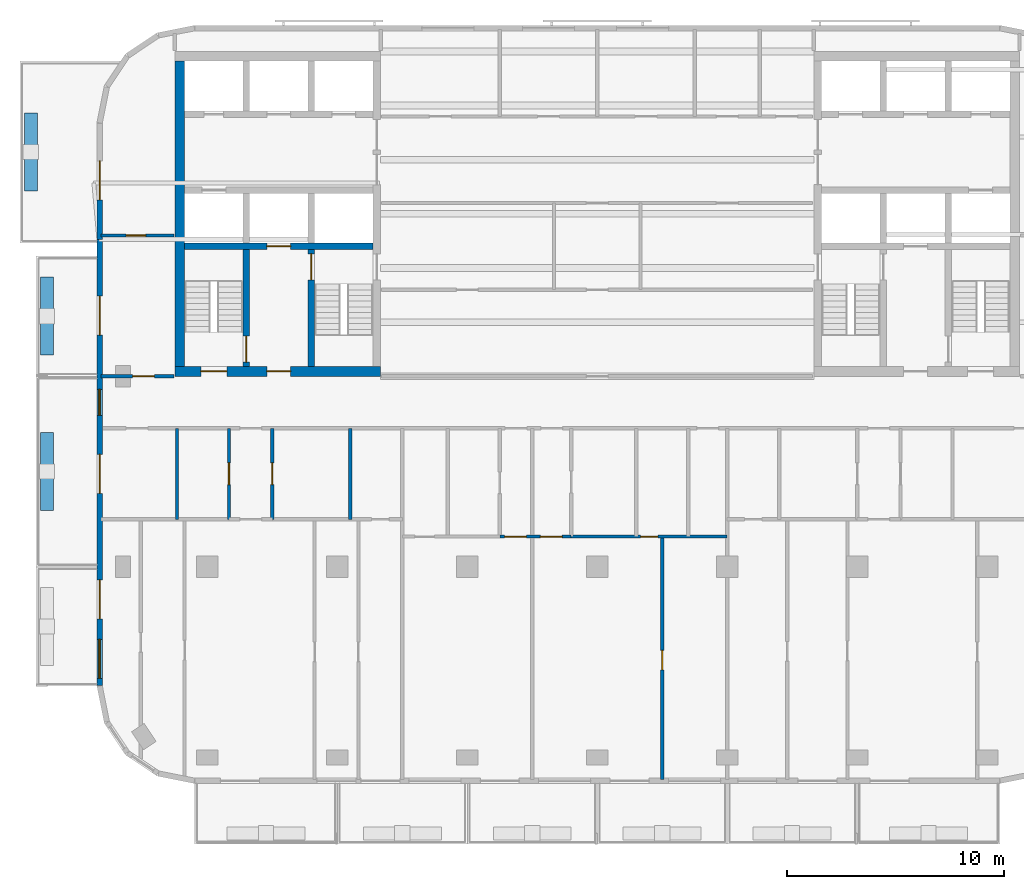
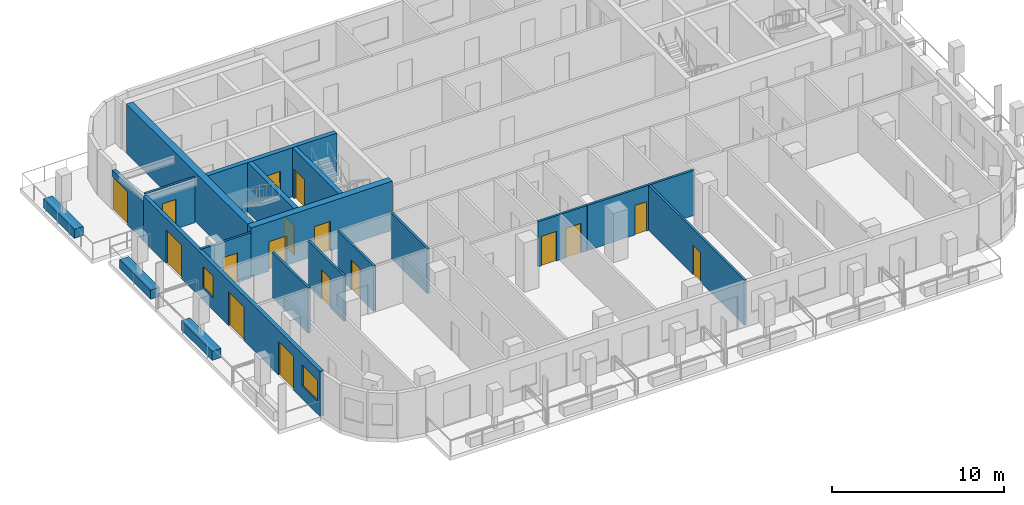
# One storey, part 3 of 11: 19 walls, 17 doors, 2 windows, 19 openings.
"""IFC4 building model written with IfcOpenShell, lengths in metres."""

from ifc_helpers import new_model, si_unit, direction, frame, frame_2d, origin, place, context, subcontext, project, spatial, rectangle, extrude, material, layer, layer_set, type_object, element, fill, save


model = new_model("IFC4")

# Units and contexts
model_context = context("Model", 3, precision=1e-05, world=origin(), true_north=direction((0.0, 1.0)))
body_context = subcontext(model_context, "Body", "Model", "MODEL_VIEW")
ifc_project = project(units=[si_unit("LENGTHUNIT", "METRE"), si_unit("AREAUNIT", "SQUARE_METRE"), si_unit("VOLUMEUNIT", "CUBIC_METRE"), si_unit("PLANEANGLEUNIT", "RADIAN"), si_unit("MASSUNIT", "GRAM", prefix="KILO")], contexts=[model_context])

# Site, building, storey
site_placement = place(None, origin())
site = spatial("IfcSite", under=ifc_project, at=site_placement, CompositionType="ELEMENT")
building_placement = place(site_placement, origin())
building = spatial("IfcBuilding", under=site, at=building_placement, Name="Torana Hotel and Residences", CompositionType="ELEMENT")
storey_placement = place(building_placement, frame((0.0, 0.0, 305.10009765625)))
storey = spatial("IfcBuildingStorey", under=building, at=storey_placement, Name="L81", CompositionType="ELEMENT", Elevation=305.10009765625)

# Wall, opening, door
ifc_material_1 = material(Name="Concrete C60/75", Category="concrete")
ifc_layer_1 = layer(ifc_material_1, 0.300048828125)
ifc_layer_set_1 = layer_set([ifc_layer_1], Name="CORE WALL 300 C60/75")
wall_type_1 = type_object("IfcWallType", Name="CORE WALL 300 C60/75", PredefinedType="SHEAR", material=ifc_layer_set_1)
wall_1_placement = place(storey_placement, frame((-19.050048828125, -9.0, 0.0), z_axis=(0.0, 0.0, 1.0), x_axis=(1.0, 0.0, 0.0)))
wall_1 = element("IfcWall", 1, at=wall_1_placement, inside=storey, type_object=wall_type_1, Name="Core wall W band", PredefinedType="SHEAR", context=body_context, shape_type="SweptSolid", body=[
    extrude(rectangle(XDim=8.699951171875, YDim=0.300048828125, at=frame_2d((4.35009765625, 0.0))), origin(), (0.0, 0.0, 1.0), 3.5),
])
opening_1_placement = place(wall_1_placement, frame((3.800048828125, 0.0, 0.0)))
opening_1 = element("IfcOpeningElement", 2, at=opening_1_placement, cuts=wall_1, Name="Opening LD", PredefinedType="OPENING", context=body_context, shape_type="SweptSolid", body=[
    extrude(rectangle(XDim=1.10009765625, YDim=2.10009765625, at=frame_2d((0.550048828125, 1.050048828125))), frame((0.0, 0.159912109375, 0.0), z_axis=(0.0, -1.0, 0.0), x_axis=(1.0, 0.0, 0.0)), (0.0, 0.0, 1.0), 0.320068359375),
])
ifc_material_2 = material(Name="Stainless steel 316", Category="steel")
door_type_1 = type_object("IfcDoorType", Name="LIFT LANDING DOOR LD 1100x2100", OperationType="DOUBLE_DOOR_SLIDING", PredefinedType="USERDEFINED", material=ifc_material_2)
door_1_placement = place(opening_1_placement, origin())
door_1 = element("IfcDoor", 3, at=door_1_placement, inside=storey, type_object=door_type_1, Name="Lift landing door FF1 L81", ObjectType="LIFT LANDING DOOR", OperationType="DOUBLE_DOOR_SLIDING", OverallHeight=2.10009765625, OverallWidth=1.10009765625, PredefinedType="USERDEFINED", context=body_context, shape_type="SweptSolid", body=[
    extrude(rectangle(XDim=1.10009765625, YDim=2.10009765625, at=frame_2d((0.550048828125, 1.050048828125))), frame((0.0, 0.02490234375, 0.0), z_axis=(0.0, -1.0, 0.0), x_axis=(1.0, 0.0, 0.0)), (0.0, 0.0, 1.0), 0.050048828125),
])
fill(opening_1, door_1)

wall_2_placement = place(storey_placement, frame((-13.199951171875, -14.550048828125, 0.0), z_axis=(0.0, 0.0, 1.0), x_axis=(0.0, 1.0, 0.0)))
wall_2 = element("IfcWall", 4, at=wall_2_placement, inside=storey, type_object=wall_type_1, Name="Core wall W x3.05-band", PredefinedType="SHEAR", context=body_context, shape_type="SweptSolid", body=[
    extrude(rectangle(XDim=5.400146484375, YDim=0.300048828125, at=frame_2d((2.7001953125, 0.0))), origin(), (0.0, 0.0, 1.0), 3.5),
])
opening_2_placement = place(wall_2_placement, frame((4.0, 0.0, 0.0)))
opening_2 = element("IfcOpeningElement", 5, at=opening_2_placement, cuts=wall_2, Name="Opening L81-07", PredefinedType="OPENING", context=body_context, shape_type="SweptSolid", body=[
    extrude(rectangle(XDim=1.199951171875, YDim=2.10009765625, at=frame_2d((0.60009765625, 1.050048828125))), frame((0.0, 0.159912109375, 0.0), z_axis=(0.0, -1.0, 0.0), x_axis=(1.0, 0.0, 0.0)), (0.0, 0.0, 1.0), 0.320068359375),
])
ifc_material_3 = material(Name="Steel S235", Category="steel")
door_type_2 = type_object("IfcDoorType", Name="STAIR FIRE DOOR D3 1200x2100", OperationType="SINGLE_SWING_LEFT", PredefinedType="DOOR", material=ifc_material_3)
door_2_placement = place(opening_2_placement, frame((0.60009765625, 0.0, 0.0), z_axis=(0.0, 0.0, 1.0), x_axis=(-1.0, 0.0, 0.0)))
door_2 = element("IfcDoor", 6, at=door_2_placement, inside=storey, type_object=door_type_2, Name="Stair-A-lobby door L81", OperationType="SINGLE_SWING_RIGHT", OverallHeight=2.10009765625, OverallWidth=1.199951171875, PredefinedType="DOOR", context=body_context, shape_type="SweptSolid", body=[
    extrude(rectangle(XDim=1.199951171875, YDim=2.10009765625, at=frame_2d((0.0, 1.050048828125))), frame((0.0, -0.02490234375, 0.0), z_axis=(0.0, 1.0, 0.0), x_axis=(-1.0, 0.0, 0.0)), (0.0, 0.0, 1.0), 0.050048828125),
])
fill(opening_2, door_2)

wall_3_placement = place(storey_placement, frame((-16.199951171875, -14.550048828125, 0.0), z_axis=(0.0, 0.0, 1.0), x_axis=(0.0, 1.0, 0.0)))
wall_3 = element("IfcWall", 7, at=wall_3_placement, inside=storey, type_object=wall_type_1, Name="Core wall W x6.05-band", PredefinedType="SHEAR", context=body_context, shape_type="SweptSolid", body=[
    extrude(rectangle(XDim=5.400146484375, YDim=0.300048828125, at=frame_2d((2.7001953125, 0.0))), origin(), (0.0, 0.0, 1.0), 3.5),
])
opening_3_placement = place(wall_3_placement, frame((0.199951171875, 0.0, 0.0)))
opening_3 = element("IfcOpeningElement", 8, at=opening_3_placement, cuts=wall_3, Name="Opening L81-08", PredefinedType="OPENING", context=body_context, shape_type="SweptSolid", body=[
    extrude(rectangle(XDim=1.199951171875, YDim=2.10009765625, at=frame_2d((0.60009765625, 1.050048828125))), frame((0.0, 0.159912109375, 0.0), z_axis=(0.0, -1.0, 0.0), x_axis=(1.0, 0.0, 0.0)), (0.0, 0.0, 1.0), 0.320068359375),
])
door_3_placement = place(opening_3_placement, origin())
door_3 = element("IfcDoor", 9, at=door_3_placement, inside=storey, type_object=door_type_2, Name="Stair-B-lobby door L81", OperationType="SINGLE_SWING_RIGHT", OverallHeight=2.10009765625, OverallWidth=1.199951171875, PredefinedType="DOOR", context=body_context, shape_type="SweptSolid", body=[
    extrude(rectangle(XDim=1.199951171875, YDim=2.10009765625, at=frame_2d((0.60009765625, 1.050048828125))), frame((0.0, 0.02490234375, 0.0), z_axis=(0.0, -1.0, 0.0), x_axis=(1.0, 0.0, 0.0)), (0.0, 0.0, 1.0), 0.050048828125),
])
fill(opening_3, door_3)

# Wall, openings, doors
ifc_material_4 = material(Name="Concrete C60/75", Category="concrete")
ifc_layer_2 = layer(ifc_material_4, 0.449951171875)
ifc_layer_set_2 = layer_set([ifc_layer_2], Name="CORE WALL 450 C60/75")
wall_type_2 = type_object("IfcWallType", Name="CORE WALL 450 C60/75", PredefinedType="SHEAR", material=ifc_layer_set_2)
wall_4_placement = place(storey_placement, frame((-19.5, -14.77490234375, 0.0), z_axis=(0.0, 0.0, 1.0), x_axis=(1.0, 0.0, 0.0)))
wall_4 = element("IfcWall", 10, at=wall_4_placement, inside=storey, type_object=wall_type_2, Name="Core wall W front", PredefinedType="SHEAR", context=body_context, shape_type="SweptSolid", body=[
    extrude(rectangle(XDim=9.5, YDim=0.449951171875, at=frame_2d((4.75, 0.0))), origin(), (0.0, 0.0, 1.0), 3.5),
])
opening_4_placement = place(wall_4_placement, frame((1.199951171875, 0.0, 0.0)))
opening_4 = element("IfcOpeningElement", 11, at=opening_4_placement, cuts=wall_4, Name="Opening L81-04", PredefinedType="OPENING", context=body_context, shape_type="SweptSolid", body=[
    extrude(rectangle(XDim=1.199951171875, YDim=2.10009765625, at=frame_2d((0.60009765625, 1.050048828125))), frame((0.0, 0.23486328125, 0.0), z_axis=(0.0, -1.0, 0.0), x_axis=(1.0, 0.0, 0.0)), (0.0, 0.0, 1.0), 0.469970703125),
])
opening_5_placement = place(wall_4_placement, frame((4.25, 0.0, 0.0)))
opening_5 = element("IfcOpeningElement", 12, at=opening_5_placement, cuts=wall_4, Name="Opening L81-05", PredefinedType="OPENING", context=body_context, shape_type="SweptSolid", body=[
    extrude(rectangle(XDim=1.10009765625, YDim=2.10009765625, at=frame_2d((0.550048828125, 1.050048828125))), frame((0.0, 0.23486328125, 0.0), z_axis=(0.0, -1.0, 0.0), x_axis=(1.0, 0.0, 0.0)), (0.0, 0.0, 1.0), 0.469970703125),
])
ifc_material_5 = material(Name="Steel S235", Category="steel")
door_type_3 = type_object("IfcDoorType", Name="FIRE-FIGHTING LOBBY DOOR D8 1100x2100", OperationType="SINGLE_SWING_LEFT", PredefinedType="DOOR", material=ifc_material_5)
door_4_placement = place(opening_5_placement, origin())
door_4 = element("IfcDoor", 13, at=door_4_placement, inside=storey, type_object=door_type_3, Name="FF-lobby door L81", OperationType="SINGLE_SWING_RIGHT", OverallHeight=2.10009765625, OverallWidth=1.10009765625, PredefinedType="DOOR", context=body_context, shape_type="SweptSolid", body=[
    extrude(rectangle(XDim=1.10009765625, YDim=2.10009765625, at=frame_2d((0.550048828125, 1.050048828125))), frame((0.0, 0.02490234375, 0.0), z_axis=(0.0, -1.0, 0.0), x_axis=(1.0, 0.0, 0.0)), (0.0, 0.0, 1.0), 0.050048828125),
])
fill(opening_5, door_4)
door_5_placement = place(opening_4_placement, origin())
door_5 = element("IfcDoor", 14, at=door_5_placement, inside=storey, type_object=door_type_2, Name="Stair-B door L81", OperationType="SINGLE_SWING_RIGHT", OverallHeight=2.10009765625, OverallWidth=1.199951171875, PredefinedType="DOOR", context=body_context, shape_type="SweptSolid", body=[
    extrude(rectangle(XDim=1.199951171875, YDim=2.10009765625, at=frame_2d((0.60009765625, 1.050048828125))), frame((0.0, 0.02490234375, 0.0), z_axis=(0.0, -1.0, 0.0), x_axis=(1.0, 0.0, 0.0)), (0.0, 0.0, 1.0), 0.050048828125),
])
fill(opening_4, door_5)

# Wall
wall_5_placement = place(storey_placement, frame((-19.27490234375, -14.550048828125, 0.0), z_axis=(0.0, 0.0, 1.0), x_axis=(0.0, 1.0, 0.0)))
element("IfcWall", 15, at=wall_5_placement, inside=storey, type_object=wall_type_2, Name="Core wall W outer", PredefinedType="SHEAR", context=body_context, shape_type="SweptSolid", body=[
    extrude(rectangle(XDim=14.10009765625, YDim=0.449951171875, at=frame_2d((7.050048828125, 0.0))), origin(), (0.0, 0.0, 1.0), 3.5),
])

# Wall, opening, door
ifc_material_6 = material(Name="Black aluminium composite panel", Category="aluminium")
ifc_layer_3 = layer(ifc_material_6, 0.00390625, Name="Cladding", Category="cladding")
ifc_material_7 = material(Name="Ventilated air cavity")
ifc_layer_4 = layer(ifc_material_7, 0.0400390625, Name="Ventilated cavity", Category="cavity")
ifc_material_8 = material(Name="Mineral wool insulation")
ifc_layer_5 = layer(ifc_material_8, 0.090087890625, Name="Insulation", Category="insulation")
ifc_material_9 = material(Name="Steel S280GD", Category="steel")
ifc_layer_6 = layer(ifc_material_9, 0.092041015625, Name="Steel stud frame", Category="structure")
ifc_material_10 = material(Name="Fire rated plasterboard")
ifc_layer_7 = layer(ifc_material_10, 0.011962890625, Name="Inner board", Category="finish")
ifc_layer_8 = layer(ifc_material_10, 0.011962890625, Name="Second board", Category="finish")
ifc_layer_set_3 = layer_set([ifc_layer_3, ifc_layer_4, ifc_layer_5, ifc_layer_6, ifc_layer_7, ifc_layer_8], Name="EW1 EXTERNAL WALL BLACK METAL CLAD 250")
wall_type_3 = type_object("IfcWallType", Name="EW1 EXTERNAL WALL BLACK METAL CLAD 250", PredefinedType="SOLIDWALL", material=ifc_layer_set_3)
wall_6_placement = place(storey_placement, frame((-22.97509765625, -5.050048828125, 0.0), z_axis=(0.0, 0.0, 1.0), x_axis=(0.0, -1.0, 0.0)))
wall_6 = element("IfcWall", 16, at=wall_6_placement, inside=storey, type_object=wall_type_3, Name="External wall L81 e0.9", PredefinedType="SOLIDWALL", context=body_context, shape_type="SweptSolid", body=[
    extrude(rectangle(XDim=3.627685546875, YDim=0.25, at=frame_2d((1.81396484375, 0.0))), origin(), (0.0, 0.0, 1.0), 2.8369140625),
])
opening_6_placement = place(wall_6_placement, origin())
opening_6 = element("IfcOpeningElement", 17, at=opening_6_placement, cuts=wall_6, Name="Opening L81-E11", PredefinedType="OPENING", context=body_context, shape_type="SweptSolid", body=[
    extrude(rectangle(XDim=1.800048828125, YDim=2.39990234375, at=frame_2d((0.89990234375, 1.199951171875))), frame((0.0, 0.135009765625, 0.0), z_axis=(0.0, -1.0, 0.0), x_axis=(1.0, 0.0, 0.0)), (0.0, 0.0, 1.0), 0.27001953125),
])
ifc_material_11 = material(Name="Dark glass in black aluminium frame", Category="aluminium")
door_type_4 = type_object("IfcDoorType", Name="DB1 BALCONY DOOR 1800x2400", OperationType="DOUBLE_DOOR_SINGLE_SWING", PredefinedType="DOOR", material=ifc_material_11)
door_6_placement = place(opening_6_placement, origin())
door_6 = element("IfcDoor", 18, at=door_6_placement, inside=storey, type_object=door_type_4, Name="Balcony door L81", OperationType="DOUBLE_DOOR_SINGLE_SWING", OverallHeight=2.39990234375, OverallWidth=1.800048828125, PredefinedType="DOOR", context=body_context, shape_type="SweptSolid", body=[
    extrude(rectangle(XDim=1.800048828125, YDim=2.39990234375, at=frame_2d((0.89990234375, 1.199951171875))), frame((0.0, 0.02490234375, 0.0), z_axis=(0.0, -1.0, 0.0), x_axis=(1.0, 0.0, 0.0)), (0.0, 0.0, 1.0), 0.050048828125),
])
fill(opening_6, door_6)

# Wall, openings, doors, windows
wall_7_placement = place(storey_placement, frame((-22.97509765625, -8.677734375, 0.0), z_axis=(0.0, 0.0, 1.0), x_axis=(0.0, -1.0, 0.0)))
wall_7 = element("IfcWall", 19, at=wall_7_placement, inside=storey, type_object=wall_type_3, Name="External wall L81 e0.9", PredefinedType="SOLIDWALL", context=body_context, shape_type="SweptSolid", body=[
    extrude(rectangle(XDim=20.59765625, YDim=0.25, at=frame_2d((10.298828125, 0.0))), origin(), (0.0, 0.0, 1.0), 3.199951171875),
])
opening_7_placement = place(wall_7_placement, frame((2.622314453125, 0.0, 0.0)))
opening_7 = element("IfcOpeningElement", 20, at=opening_7_placement, cuts=wall_7, Name="Opening L81-E12", PredefinedType="OPENING", context=body_context, shape_type="SweptSolid", body=[
    extrude(rectangle(XDim=1.800048828125, YDim=2.39990234375, at=frame_2d((0.89990234375, 1.199951171875))), frame((0.0, 0.135009765625, 0.0), z_axis=(0.0, -1.0, 0.0), x_axis=(1.0, 0.0, 0.0)), (0.0, 0.0, 1.0), 0.27001953125),
])
opening_8_placement = place(wall_7_placement, frame((6.92236328125, 0.0, 0.89990234375)))
opening_8 = element("IfcOpeningElement", 21, at=opening_8_placement, cuts=wall_7, Name="Opening W5", PredefinedType="OPENING", context=body_context, shape_type="SweptSolid", body=[
    extrude(rectangle(XDim=1.199951171875, YDim=1.5, at=frame_2d((0.60009765625, 0.75))), frame((0.0, 0.135009765625, 0.0), z_axis=(0.0, -1.0, 0.0), x_axis=(1.0, 0.0, 0.0)), (0.0, 0.0, 1.0), 0.27001953125),
])
opening_9_placement = place(wall_7_placement, frame((9.92236328125, 0.0, 0.0)))
opening_9 = element("IfcOpeningElement", 22, at=opening_9_placement, cuts=wall_7, Name="Opening L81-E13", PredefinedType="OPENING", context=body_context, shape_type="SweptSolid", body=[
    extrude(rectangle(XDim=1.800048828125, YDim=2.39990234375, at=frame_2d((0.89990234375, 1.199951171875))), frame((0.0, 0.135009765625, 0.0), z_axis=(0.0, -1.0, 0.0), x_axis=(1.0, 0.0, 0.0)), (0.0, 0.0, 1.0), 0.27001953125),
])
opening_10_placement = place(wall_7_placement, frame((15.722412109375, 0.0, 0.0)))
opening_10 = element("IfcOpeningElement", 23, at=opening_10_placement, cuts=wall_7, Name="Opening L81-E14", PredefinedType="OPENING", context=body_context, shape_type="SweptSolid", body=[
    extrude(rectangle(XDim=1.800048828125, YDim=2.39990234375, at=frame_2d((0.89990234375, 1.199951171875))), frame((0.0, 0.135009765625, 0.0), z_axis=(0.0, -1.0, 0.0), x_axis=(1.0, 0.0, 0.0)), (0.0, 0.0, 1.0), 0.27001953125),
])
opening_11_placement = place(wall_7_placement, frame((18.472412109375, 0.0, 0.89990234375)))
opening_11 = element("IfcOpeningElement", 24, at=opening_11_placement, cuts=wall_7, Name="Opening W4", PredefinedType="OPENING", context=body_context, shape_type="SweptSolid", body=[
    extrude(rectangle(XDim=1.800048828125, YDim=1.5, at=frame_2d((0.89990234375, 0.75))), frame((0.0, 0.135009765625, 0.0), z_axis=(0.0, -1.0, 0.0), x_axis=(1.0, 0.0, 0.0)), (0.0, 0.0, 1.0), 0.27001953125),
])
door_7_placement = place(opening_7_placement, origin())
door_7 = element("IfcDoor", 25, at=door_7_placement, inside=storey, type_object=door_type_4, Name="Balcony door L81", OperationType="DOUBLE_DOOR_SINGLE_SWING", OverallHeight=2.39990234375, OverallWidth=1.800048828125, PredefinedType="DOOR", context=body_context, shape_type="SweptSolid", body=[
    extrude(rectangle(XDim=1.800048828125, YDim=2.39990234375, at=frame_2d((0.89990234375, 1.199951171875))), frame((0.0, 0.02490234375, 0.0), z_axis=(0.0, -1.0, 0.0), x_axis=(1.0, 0.0, 0.0)), (0.0, 0.0, 1.0), 0.050048828125),
])
fill(opening_7, door_7)
door_8_placement = place(opening_9_placement, origin())
door_8 = element("IfcDoor", 26, at=door_8_placement, inside=storey, type_object=door_type_4, Name="Balcony door L81", OperationType="DOUBLE_DOOR_SINGLE_SWING", OverallHeight=2.39990234375, OverallWidth=1.800048828125, PredefinedType="DOOR", context=body_context, shape_type="SweptSolid", body=[
    extrude(rectangle(XDim=1.800048828125, YDim=2.39990234375, at=frame_2d((0.89990234375, 1.199951171875))), frame((0.0, 0.02490234375, 0.0), z_axis=(0.0, -1.0, 0.0), x_axis=(1.0, 0.0, 0.0)), (0.0, 0.0, 1.0), 0.050048828125),
])
fill(opening_9, door_8)
door_9_placement = place(opening_10_placement, origin())
door_9 = element("IfcDoor", 27, at=door_9_placement, inside=storey, type_object=door_type_4, Name="Balcony door L81", OperationType="DOUBLE_DOOR_SINGLE_SWING", OverallHeight=2.39990234375, OverallWidth=1.800048828125, PredefinedType="DOOR", context=body_context, shape_type="SweptSolid", body=[
    extrude(rectangle(XDim=1.800048828125, YDim=2.39990234375, at=frame_2d((0.89990234375, 1.199951171875))), frame((0.0, 0.02490234375, 0.0), z_axis=(0.0, -1.0, 0.0), x_axis=(1.0, 0.0, 0.0)), (0.0, 0.0, 1.0), 0.050048828125),
])
fill(opening_10, door_9)
ifc_material_12 = material(Name="Dark glass in black aluminium frame", Category="aluminium")
window_type_1 = type_object("IfcWindowType", Name="W4 RESIDENCE WINDOW NARROW 1800x1500", PartitioningType="SINGLE_PANEL", PredefinedType="WINDOW", material=ifc_material_12)
window_1_placement = place(opening_11_placement, origin())
window_1 = element("IfcWindow", 28, at=window_1_placement, inside=storey, type_object=window_type_1, Name="Window L81", OverallHeight=1.5, OverallWidth=1.800048828125, PartitioningType="SINGLE_PANEL", PredefinedType="WINDOW", context=body_context, shape_type="SweptSolid", body=[
    extrude(rectangle(XDim=1.800048828125, YDim=1.5, at=frame_2d((0.89990234375, 0.75))), frame((0.0, 0.030029296875, 0.0), z_axis=(0.0, -1.0, 0.0), x_axis=(1.0, 0.0, 0.0)), (0.0, 0.0, 1.0), 0.06005859375),
])
fill(opening_11, window_1)
ifc_material_13 = material(Name="Dark glass in black aluminium frame", Category="aluminium")
window_type_2 = type_object("IfcWindowType", Name="W5 CORNER FACET WINDOW 1200x1500", PartitioningType="SINGLE_PANEL", PredefinedType="WINDOW", material=ifc_material_13)
window_2_placement = place(opening_8_placement, origin())
window_2 = element("IfcWindow", 29, at=window_2_placement, inside=storey, type_object=window_type_2, Name="Window L81", OverallHeight=1.5, OverallWidth=1.199951171875, PartitioningType="SINGLE_PANEL", PredefinedType="WINDOW", context=body_context, shape_type="SweptSolid", body=[
    extrude(rectangle(XDim=1.199951171875, YDim=1.5, at=frame_2d((0.60009765625, 0.75))), frame((0.0, 0.030029296875, 0.0), z_axis=(0.0, -1.0, 0.0), x_axis=(1.0, 0.0, 0.0)), (0.0, 0.0, 1.0), 0.06005859375),
])
fill(opening_8, window_2)

# Wall, opening, door
ifc_material_14 = material(Name="Gypsum plaster")
ifc_layer_9 = layer(ifc_material_14, 0.014892578125, Name="Plaster", Category="finish")
ifc_material_15 = material(Name="Concrete blockwork", Category="masonry")
ifc_layer_10 = layer(ifc_material_15, 0.1201171875, Name="Blockwork", Category="structure")
ifc_layer_11 = layer(ifc_material_14, 0.014892578125, Name="Plaster", Category="finish")
ifc_layer_set_4 = layer_set([ifc_layer_9, ifc_layer_10, ifc_layer_11], Name="FIRE PARTITION 150 BLOCKWORK")
wall_type_4 = type_object("IfcWallType", Name="FIRE PARTITION 150 BLOCKWORK", PredefinedType="PARTITIONING", material=ifc_layer_set_4)
wall_8_placement = place(storey_placement, frame((-15.0, -21.60009765625, 0.0), z_axis=(0.0, 0.0, 1.0), x_axis=(0.0, 1.0, 0.0)))
wall_8 = element("IfcWall", 30, at=wall_8_placement, inside=storey, type_object=wall_type_4, Name="Partition L81", PredefinedType="PARTITIONING", context=body_context, shape_type="SweptSolid", body=[
    extrude(rectangle(XDim=4.2001953125, YDim=0.14990234375, at=frame_2d((2.10009765625, 0.0))), origin(), (0.0, 0.0, 1.0), 3.219970703125),
])
opening_12_placement = place(wall_8_placement, frame((1.60009765625, 0.0, 0.0)))
opening_12 = element("IfcOpeningElement", 31, at=opening_12_placement, cuts=wall_8, Name="Opening L81-44", PredefinedType="OPENING", context=body_context, shape_type="SweptSolid", body=[
    extrude(rectangle(XDim=1.0, YDim=2.10009765625, at=frame_2d((0.5, 1.050048828125))), frame((0.0, 0.0849609375, 0.0), z_axis=(0.0, -1.0, 0.0), x_axis=(1.0, 0.0, 0.0)), (0.0, 0.0, 1.0), 0.169921875),
])
ifc_material_16 = material(Name="Steel S235", Category="steel")
door_type_5 = type_object("IfcDoorType", Name="ENTRY FIRE DOOR D6 1000x2100", OperationType="SINGLE_SWING_LEFT", PredefinedType="DOOR", material=ifc_material_16)
door_10_placement = place(opening_12_placement, frame((0.5, 0.0, 0.0), z_axis=(0.0, 0.0, 1.0), x_axis=(-1.0, 0.0, 0.0)))
door_10 = element("IfcDoor", 32, at=door_10_placement, inside=storey, type_object=door_type_5, Name="Door L81", OperationType="SINGLE_SWING_LEFT", OverallHeight=2.10009765625, OverallWidth=1.0, PredefinedType="DOOR", context=body_context, shape_type="SweptSolid", body=[
    extrude(rectangle(XDim=1.0, YDim=2.10009765625, at=frame_2d((0.0, 1.050048828125))), frame((0.0, -0.02490234375, 0.0), z_axis=(0.0, 1.0, 0.0), x_axis=(-1.0, 0.0, 0.0)), (0.0, 0.0, 1.0), 0.050048828125),
])
fill(opening_12, door_10)

wall_9_placement = place(storey_placement, frame((-17.0, -21.60009765625, 0.0), z_axis=(0.0, 0.0, 1.0), x_axis=(0.0, 1.0, 0.0)))
wall_9 = element("IfcWall", 33, at=wall_9_placement, inside=storey, type_object=wall_type_4, Name="Partition L81", PredefinedType="PARTITIONING", context=body_context, shape_type="SweptSolid", body=[
    extrude(rectangle(XDim=4.2001953125, YDim=0.14990234375, at=frame_2d((2.10009765625, 0.0))), origin(), (0.0, 0.0, 1.0), 3.219970703125),
])
opening_13_placement = place(wall_9_placement, frame((1.60009765625, 0.0, 0.0)))
opening_13 = element("IfcOpeningElement", 34, at=opening_13_placement, cuts=wall_9, Name="Opening L81-45", PredefinedType="OPENING", context=body_context, shape_type="SweptSolid", body=[
    extrude(rectangle(XDim=1.0, YDim=2.10009765625, at=frame_2d((0.5, 1.050048828125))), frame((0.0, 0.0849609375, 0.0), z_axis=(0.0, -1.0, 0.0), x_axis=(1.0, 0.0, 0.0)), (0.0, 0.0, 1.0), 0.169921875),
])
door_11_placement = place(opening_13_placement, origin())
door_11 = element("IfcDoor", 35, at=door_11_placement, inside=storey, type_object=door_type_5, Name="Door L81", OperationType="SINGLE_SWING_RIGHT", OverallHeight=2.10009765625, OverallWidth=1.0, PredefinedType="DOOR", context=body_context, shape_type="SweptSolid", body=[
    extrude(rectangle(XDim=1.0, YDim=2.10009765625, at=frame_2d((0.5, 1.050048828125))), frame((0.0, 0.02490234375, 0.0), z_axis=(0.0, -1.0, 0.0), x_axis=(1.0, 0.0, 0.0)), (0.0, 0.0, 1.0), 0.050048828125),
])
fill(opening_13, door_11)

# Wall, openings, doors
wall_10_placement = place(storey_placement, frame((-4.5, -22.39990234375, 0.0), z_axis=(0.0, 0.0, 1.0), x_axis=(1.0, 0.0, 0.0)))
wall_10 = element("IfcWall", 36, at=wall_10_placement, inside=storey, type_object=wall_type_4, Name="Partition L81", PredefinedType="PARTITIONING", context=body_context, shape_type="SweptSolid", body=[
    extrude(rectangle(XDim=3.300048828125, YDim=0.14990234375, at=frame_2d((1.64990234375, 0.0))), origin(), (0.0, 0.0, 1.0), 3.219970703125),
])
opening_14_placement = place(wall_10_placement, frame((0.22998046875, 0.0, 0.0)))
opening_14 = element("IfcOpeningElement", 37, at=opening_14_placement, cuts=wall_10, Name="Opening L81-38", PredefinedType="OPENING", context=body_context, shape_type="SweptSolid", body=[
    extrude(rectangle(XDim=1.0, YDim=2.10009765625, at=frame_2d((0.5, 1.050048828125))), frame((0.0, 0.0849609375, 0.0), z_axis=(0.0, -1.0, 0.0), x_axis=(1.0, 0.0, 0.0)), (0.0, 0.0, 1.0), 0.169921875),
])
opening_15_placement = place(wall_10_placement, frame((1.8798828125, 0.0, 0.0)))
opening_15 = element("IfcOpeningElement", 38, at=opening_15_placement, cuts=wall_10, Name="Opening L81-40", PredefinedType="OPENING", context=body_context, shape_type="SweptSolid", body=[
    extrude(rectangle(XDim=1.0, YDim=2.10009765625, at=frame_2d((0.5, 1.050048828125))), frame((0.0, 0.0849609375, 0.0), z_axis=(0.0, -1.0, 0.0), x_axis=(1.0, 0.0, 0.0)), (0.0, 0.0, 1.0), 0.169921875),
])
door_12_placement = place(opening_14_placement, frame((0.5, 0.0, 0.0), z_axis=(0.0, 0.0, 1.0), x_axis=(-1.0, 0.0, 0.0)))
door_12 = element("IfcDoor", 39, at=door_12_placement, inside=storey, type_object=door_type_5, Name="Door L81", OperationType="SINGLE_SWING_RIGHT", OverallHeight=2.10009765625, OverallWidth=1.0, PredefinedType="DOOR", context=body_context, shape_type="SweptSolid", body=[
    extrude(rectangle(XDim=1.0, YDim=2.10009765625, at=frame_2d((0.0, 1.050048828125))), frame((0.0, -0.02490234375, 0.0), z_axis=(0.0, 1.0, 0.0), x_axis=(-1.0, 0.0, 0.0)), (0.0, 0.0, 1.0), 0.050048828125),
])
fill(opening_14, door_12)
door_13_placement = place(opening_15_placement, frame((0.5, 0.0, 0.0), z_axis=(0.0, 0.0, 1.0), x_axis=(-1.0, 0.0, 0.0)))
door_13 = element("IfcDoor", 40, at=door_13_placement, inside=storey, type_object=door_type_5, Name="Door L81", OperationType="SINGLE_SWING_LEFT", OverallHeight=2.10009765625, OverallWidth=1.0, PredefinedType="DOOR", context=body_context, shape_type="SweptSolid", body=[
    extrude(rectangle(XDim=1.0, YDim=2.10009765625, at=frame_2d((0.0, 1.050048828125))), frame((0.0, -0.02490234375, 0.0), z_axis=(0.0, 1.0, 0.0), x_axis=(-1.0, 0.0, 0.0)), (0.0, 0.0, 1.0), 0.050048828125),
])
fill(opening_15, door_13)

# Wall, opening, door
wall_11_placement = place(storey_placement, frame((-22.919921875, -15.0, 0.0), z_axis=(0.0, 0.0, 1.0), x_axis=(1.0, 0.0, 0.0)))
wall_11 = element("IfcWall", 41, at=wall_11_placement, inside=storey, type_object=wall_type_4, Name="Partition L81", PredefinedType="PARTITIONING", context=body_context, shape_type="SweptSolid", body=[
    extrude(rectangle(XDim=3.369873046875, YDim=0.14990234375, at=frame_2d((1.68505859375, 0.0))), origin(), (0.0, 0.0, 1.0), 3.219970703125),
])
opening_16_placement = place(wall_11_placement, frame((1.469970703125, 0.0, 0.0)))
opening_16 = element("IfcOpeningElement", 42, at=opening_16_placement, cuts=wall_11, Name="Opening L81-25", PredefinedType="OPENING", context=body_context, shape_type="SweptSolid", body=[
    extrude(rectangle(XDim=1.0, YDim=2.10009765625, at=frame_2d((0.5, 1.050048828125))), frame((0.0, 0.0849609375, 0.0), z_axis=(0.0, -1.0, 0.0), x_axis=(1.0, 0.0, 0.0)), (0.0, 0.0, 1.0), 0.169921875),
])
ifc_material_17 = material(Name="Steel S235", Category="steel")
door_type_6 = type_object("IfcDoorType", Name="CORE ROOM FIRE DOOR D14 1000x2100", OperationType="SINGLE_SWING_LEFT", PredefinedType="DOOR", material=ifc_material_17)
door_14_placement = place(opening_16_placement, origin())
door_14 = element("IfcDoor", 43, at=door_14_placement, inside=storey, type_object=door_type_6, Name="Door L81", OperationType="SINGLE_SWING_RIGHT", OverallHeight=2.10009765625, OverallWidth=1.0, PredefinedType="DOOR", context=body_context, shape_type="SweptSolid", body=[
    extrude(rectangle(XDim=1.0, YDim=2.10009765625, at=frame_2d((0.5, 1.050048828125))), frame((0.0, 0.02490234375, 0.0), z_axis=(0.0, -1.0, 0.0), x_axis=(1.0, 0.0, 0.0)), (0.0, 0.0, 1.0), 0.050048828125),
])
fill(opening_16, door_14)

ifc_material_18 = material(Name="Gypsum plasterboard")
ifc_layer_12 = layer(ifc_material_18, 0.012451171875, Name="Plasterboard", Category="finish")
ifc_layer_13 = layer(ifc_material_18, 0.012451171875, Name="Plasterboard", Category="finish")
ifc_layer_14 = layer(ifc_material_9, 0.10009765625, Name="Steel studs with mineral wool", Category="insulation")
ifc_layer_15 = layer(ifc_material_18, 0.012451171875, Name="Plasterboard", Category="finish")
ifc_layer_16 = layer(ifc_material_18, 0.012451171875, Name="Plasterboard", Category="finish")
ifc_layer_set_5 = layer_set([ifc_layer_12, ifc_layer_13, ifc_layer_14, ifc_layer_15, ifc_layer_16], Name="PARTITION 150 PLASTERBOARD")
wall_type_5 = type_object("IfcWallType", Name="PARTITION 150 PLASTERBOARD", PredefinedType="PARTITIONING", material=ifc_layer_set_5)
wall_12_placement = place(storey_placement, frame((3.0, -33.6201171875, 0.0), z_axis=(0.0, 0.0, 1.0), x_axis=(0.0, 1.0, 0.0)))
wall_12 = element("IfcWall", 44, at=wall_12_placement, inside=storey, type_object=wall_type_5, Name="Partition L81", PredefinedType="PARTITIONING", context=body_context, shape_type="SweptSolid", body=[
    extrude(rectangle(XDim=11.22021484375, YDim=0.14990234375, at=frame_2d((5.610107421875, 0.0))), origin(), (0.0, 0.0, 1.0), 3.219970703125),
])
opening_17_placement = place(wall_12_placement, frame((5.070068359375, 0.0, 0.0)))
opening_17 = element("IfcOpeningElement", 45, at=opening_17_placement, cuts=wall_12, Name="Opening L81-42", PredefinedType="OPENING", context=body_context, shape_type="SweptSolid", body=[
    extrude(rectangle(XDim=0.89990234375, YDim=2.10009765625, at=frame_2d((0.449951171875, 1.050048828125))), frame((0.0, 0.0849609375, 0.0), z_axis=(0.0, -1.0, 0.0), x_axis=(1.0, 0.0, 0.0)), (0.0, 0.0, 1.0), 0.169921875),
])
ifc_material_19 = material(Name="Timber door, oiled ash", Category="wood")
door_type_7 = type_object("IfcDoorType", Name="ROOM DOOR D7 900x2100", OperationType="SINGLE_SWING_LEFT", PredefinedType="DOOR", material=ifc_material_19)
door_15_placement = place(opening_17_placement, origin())
door_15 = element("IfcDoor", 46, at=door_15_placement, inside=storey, type_object=door_type_7, Name="Door L81", OperationType="SINGLE_SWING_RIGHT", OverallHeight=2.10009765625, OverallWidth=0.89990234375, PredefinedType="DOOR", context=body_context, shape_type="SweptSolid", body=[
    extrude(rectangle(XDim=0.89990234375, YDim=2.10009765625, at=frame_2d((0.449951171875, 1.050048828125))), frame((0.0, 0.02490234375, 0.0), z_axis=(0.0, -1.0, 0.0), x_axis=(1.0, 0.0, 0.0)), (0.0, 0.0, 1.0), 0.050048828125),
])
fill(opening_17, door_15)

# Walls
for number, where, z_axis, x_axis, name in (
    (47, (-11.39990234375, -21.60009765625, 0.0), (0.0, 0.0, 1.0), (0.0, 1.0, 0.0), "Partition L81"),
    (48, (-19.39990234375, -21.60009765625, 0.0), (0.0, 0.0, 1.0), (0.0, 1.0, 0.0), "Partition L81"),
):
    element("IfcWall", number, at=place(storey_placement, frame(where, z_axis=z_axis, x_axis=x_axis)), inside=storey, type_object=wall_type_5, Name=name, PredefinedType="PARTITIONING", context=body_context, shape_type="SweptSolid", body=[
        extrude(rectangle(XDim=4.2001953125, YDim=0.14990234375, at=frame_2d((2.10009765625, 0.0))), origin(), (0.0, 0.0, 1.0), 3.219970703125),
    ])

# Wall, opening, door
wall_13_placement = place(storey_placement, frame((-1.199951171875, -22.39990234375, 0.0), z_axis=(0.0, 0.0, 1.0), x_axis=(1.0, 0.0, 0.0)))
wall_13 = element("IfcWall", 49, at=wall_13_placement, inside=storey, type_object=wall_type_5, Name="Partition L81", PredefinedType="PARTITIONING", context=body_context, shape_type="SweptSolid", body=[
    extrude(rectangle(XDim=7.199951171875, YDim=0.14990234375, at=frame_2d((3.60009765625, 0.0))), origin(), (0.0, 0.0, 1.0), 3.219970703125),
])
opening_18_placement = place(wall_13_placement, frame((3.199951171875, 0.0, 0.0)))
opening_18 = element("IfcOpeningElement", 50, at=opening_18_placement, cuts=wall_13, Name="Opening L81-41", PredefinedType="OPENING", context=body_context, shape_type="SweptSolid", body=[
    extrude(rectangle(XDim=0.800048828125, YDim=2.10009765625, at=frame_2d((0.39990234375, 1.050048828125))), frame((0.0, 0.0849609375, 0.0), z_axis=(0.0, -1.0, 0.0), x_axis=(1.0, 0.0, 0.0)), (0.0, 0.0, 1.0), 0.169921875),
])
ifc_material_20 = material(Name="Timber door, painted", Category="wood")
door_type_8 = type_object("IfcDoorType", Name="BATH DOOR D13 800x2100", OperationType="SINGLE_SWING_LEFT", PredefinedType="DOOR", material=ifc_material_20)
door_16_placement = place(opening_18_placement, origin())
door_16 = element("IfcDoor", 51, at=door_16_placement, inside=storey, type_object=door_type_8, Name="Door L81", OperationType="SINGLE_SWING_RIGHT", OverallHeight=2.10009765625, OverallWidth=0.800048828125, PredefinedType="DOOR", context=body_context, shape_type="SweptSolid", body=[
    extrude(rectangle(XDim=0.800048828125, YDim=2.10009765625, at=frame_2d((0.39990234375, 1.050048828125))), frame((0.0, 0.02490234375, 0.0), z_axis=(0.0, -1.0, 0.0), x_axis=(1.0, 0.0, 0.0)), (0.0, 0.0, 1.0), 0.050048828125),
])
fill(opening_18, door_16)

wall_14_placement = place(storey_placement, frame((-22.919921875, -8.5, 0.0), z_axis=(0.0, 0.0, 1.0), x_axis=(1.0, 0.0, 0.0)))
wall_14 = element("IfcWall", 52, at=wall_14_placement, inside=storey, type_object=wall_type_5, Name="Partition L81", PredefinedType="PARTITIONING", context=body_context, shape_type="SweptSolid", body=[
    extrude(rectangle(XDim=3.369873046875, YDim=0.14990234375, at=frame_2d((1.68505859375, 0.0))), origin(), (0.0, 0.0, 1.0), 3.219970703125),
])
opening_19_placement = place(wall_14_placement, frame((1.169921875, 0.0, 0.0)))
opening_19 = element("IfcOpeningElement", 53, at=opening_19_placement, cuts=wall_14, Name="Opening L81-59", PredefinedType="OPENING", context=body_context, shape_type="SweptSolid", body=[
    extrude(rectangle(XDim=0.89990234375, YDim=2.10009765625, at=frame_2d((0.449951171875, 1.050048828125))), frame((0.0, 0.0849609375, 0.0), z_axis=(0.0, -1.0, 0.0), x_axis=(1.0, 0.0, 0.0)), (0.0, 0.0, 1.0), 0.169921875),
])
door_17_placement = place(opening_19_placement, origin())
door_17 = element("IfcDoor", 54, at=door_17_placement, inside=storey, type_object=door_type_7, Name="Door L81", OperationType="SINGLE_SWING_RIGHT", OverallHeight=2.10009765625, OverallWidth=0.89990234375, PredefinedType="DOOR", context=body_context, shape_type="SweptSolid", body=[
    extrude(rectangle(XDim=0.89990234375, YDim=2.10009765625, at=frame_2d((0.449951171875, 1.050048828125))), frame((0.0, 0.02490234375, 0.0), z_axis=(0.0, -1.0, 0.0), x_axis=(1.0, 0.0, 0.0)), (0.0, 0.0, 1.0), 0.050048828125),
])
fill(opening_19, door_17)

# Walls
ifc_material_21 = material(Name="Concrete C40/50 precast", Category="concrete")
ifc_layer_17 = layer(ifc_material_21, 0.10009765625, Name="Planter shell", Category="structure")
ifc_material_22 = material(Name="Root resistant membrane")
ifc_layer_18 = layer(ifc_material_22, 0.00390625, Name="Waterproofing membrane", Category="membrane")
ifc_material_23 = material(Name="Drainage board with filter fleece")
ifc_layer_19 = layer(ifc_material_23, 0.02001953125, Name="Drainage board", Category="drainage")
ifc_material_24 = material(Name="Growing medium")
ifc_layer_20 = layer(ifc_material_24, 0.47607421875, Name="Planting substrate", Category="soil")
ifc_layer_set_6 = layer_set([ifc_layer_17, ifc_layer_18, ifc_layer_19, ifc_layer_20], Name="PL1 BALCONY PLANTER 600")
wall_type_6 = type_object("IfcWallType", Name="PL1 BALCONY PLANTER 600", PredefinedType="USERDEFINED", material=ifc_layer_set_6)
for number, where, z_axis, x_axis, name in (
    (55, (-25.39990234375, -21.199951171875, 0.0), (0.0, 0.0, 1.0), (0.0, 1.0, 0.0), "Planter 08"),
    (56, (-25.39990234375, -14.02490234375, 0.0), (0.0, 0.0, 1.0), (0.0, 1.0, 0.0), "Planter 09"),
    (57, (-26.14990234375, -6.449951171875, 0.0), (0.0, 0.0, 1.0), (0.0, 1.0, 0.0), "Planter 10"),
):
    element("IfcWall", number, at=place(storey_placement, frame(where, z_axis=z_axis, x_axis=x_axis)), inside=storey, type_object=wall_type_6, Name=name, ObjectType="PLANTER", PredefinedType="USERDEFINED", context=body_context, shape_type="SweptSolid", body=[
        extrude(rectangle(XDim=3.599853515625, YDim=0.60009765625, at=frame_2d((1.7998046875, 0.0))), origin(), (0.0, 0.0, 1.0), 0.64990234375),
    ])

save(model, "model.ifc")
